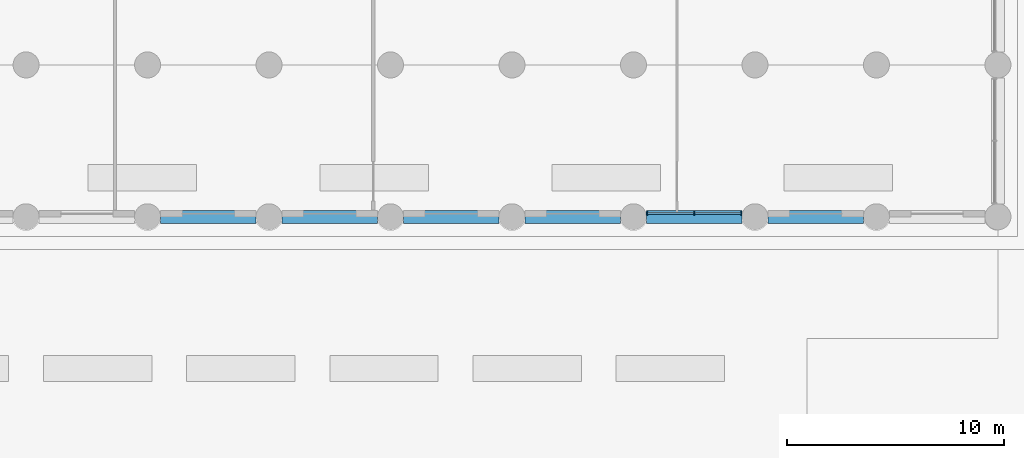
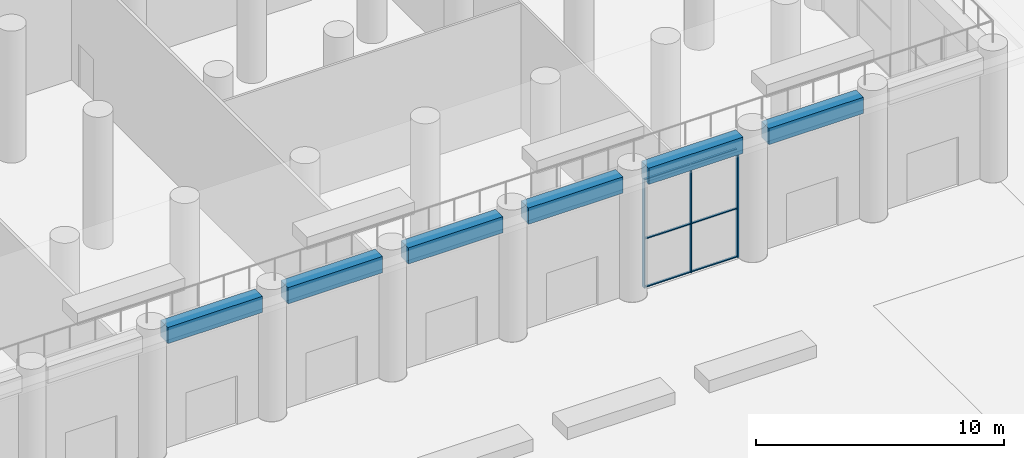
# One storey, part 6 of 51: 9 members, 6 beams, 1 element without a shape of its own.
"""IFC4 building model written with IfcOpenShell, lengths in metres."""

from ifc_helpers import new_model, si_unit, direction, frame, origin, origin_2d, place, context, subcontext, project, spatial, rectangle, extrude, material, layer, layer_set, material_profile, profile_set, type_object, element, aggregate, save


model = new_model("IFC4")

# Units and contexts
model_context = context("Model", 3, precision=1e-05, world=origin(), true_north=direction((0.0, 1.0)))
body_context = subcontext(model_context, "Body", "Model", "MODEL_VIEW")
ifc_project = project(units=[si_unit("LENGTHUNIT", "METRE"), si_unit("AREAUNIT", "SQUARE_METRE"), si_unit("VOLUMEUNIT", "CUBIC_METRE"), si_unit("PLANEANGLEUNIT", "RADIAN"), si_unit("MASSUNIT", "GRAM", prefix="KILO")], contexts=[model_context])

# Site, building, storey
site_placement = place(None, origin())
site = spatial("IfcSite", under=ifc_project, at=site_placement, CompositionType="ELEMENT")
building_placement = place(site_placement, origin())
building = spatial("IfcBuilding", under=site, at=building_placement, Name="Kiln Ring Residences", CompositionType="ELEMENT")
storey_placement = place(building_placement, origin())
storey = spatial("IfcBuildingStorey", under=building, at=storey_placement, Name="L00", CompositionType="ELEMENT", Elevation=0.0)

# Curtain wall, members
ifc_material_1 = material(Name="Aluminium and glass", Category="aluminium")
ifc_layer = layer(ifc_material_1, 0.179931640625)
ifc_layer_set = layer_set([ifc_layer], Name="CW2 CURTAIN WALL")
curtain_wall_type = type_object("IfcCurtainWallType", Name="CW2 CURTAIN WALL", PredefinedType="NOTDEFINED", material=ifc_layer_set)
curtain_wall_placement = place(storey_placement, origin())
curtain_wall = element("IfcCurtainWall", 1, at=curtain_wall_placement, inside=storey, type_object=curtain_wall_type, Name="Curtain wall CW2 L00", PredefinedType="NOTDEFINED")
ifc_material_2 = material(Name="Aluminium 6063-T6", Category="aluminium")
ifc_material_profile_1 = material_profile(ifc_material_2, rectangle(XDim=0.179931640625, YDim=0.050048828125, at=origin_2d()), Name="AL 180x50")
ifc_profile_set_1 = profile_set([ifc_material_profile_1], Name="Aluminium 6063-T6")
member_type_1 = type_object("IfcMemberType", Name="CW2 MULLION 180 x 50", PredefinedType="MULLION", material=ifc_profile_set_1)
member_1_placement = place(storey_placement, frame((28.625, -64.25, 0.0), z_axis=(0.0, 0.0, 1.0), x_axis=(0.0, 1.0, 0.0)))
member_1 = element("IfcMember", 2, at=member_1_placement, type_object=member_type_1, Name="CW2 mullion 1", PredefinedType="MULLION", context=body_context, shape_type="SweptSolid", body=[
    extrude(rectangle(XDim=0.179931640625, YDim=0.050048828125, at=origin_2d()), origin(), (0.0, 0.0, 1.0), 5.35009765625),
])
member_2_placement = place(storey_placement, frame((30.800048828125, -64.25, 0.0), z_axis=(0.0, 0.0, 1.0), x_axis=(0.0, 1.0, 0.0)))
member_2 = element("IfcMember", 3, at=member_2_placement, type_object=member_type_1, Name="CW2 mullion 2", PredefinedType="MULLION", context=body_context, shape_type="SweptSolid", body=[
    extrude(rectangle(XDim=0.179931640625, YDim=0.050048828125, at=origin_2d()), origin(), (0.0, 0.0, 1.0), 5.35009765625),
])
member_3_placement = place(storey_placement, frame((32.97509765625, -64.25, 0.0), z_axis=(0.0, 0.0, 1.0), x_axis=(0.0, 1.0, 0.0)))
member_3 = element("IfcMember", 4, at=member_3_placement, type_object=member_type_1, Name="CW2 mullion 3", PredefinedType="MULLION", context=body_context, shape_type="SweptSolid", body=[
    extrude(rectangle(XDim=0.179931640625, YDim=0.050048828125, at=origin_2d()), origin(), (0.0, 0.0, 1.0), 5.35009765625),
])
ifc_material_3 = material(Name="Aluminium 6063-T6", Category="aluminium")
ifc_material_profile_2 = material_profile(ifc_material_3, rectangle(XDim=0.10009765625, YDim=0.050048828125, at=origin_2d()), Name="AL 100x50")
ifc_profile_set_2 = profile_set([ifc_material_profile_2], Name="Aluminium 6063-T6")
member_type_2 = type_object("IfcMemberType", Name="CW2 TRANSOM 100 x 50", PredefinedType="USERDEFINED", material=ifc_profile_set_2)
member_4_placement = place(storey_placement, frame((28.64990234375, -64.25, 0.02490234375), z_axis=(1.0, 0.0, 0.0), x_axis=(0.0, 1.0, 0.0)))
member_4 = element("IfcMember", 5, at=member_4_placement, type_object=member_type_2, Name="CW2 transom 1.1", ObjectType="TRANSOM", PredefinedType="USERDEFINED", context=body_context, shape_type="SweptSolid", body=[
    extrude(rectangle(XDim=0.10009765625, YDim=0.050048828125, at=origin_2d()), origin(), (0.0, 0.0, 1.0), 2.125),
])
member_5_placement = place(storey_placement, frame((28.64990234375, -64.25, 2.39990234375), z_axis=(1.0, 0.0, 0.0), x_axis=(0.0, 1.0, 0.0)))
member_5 = element("IfcMember", 6, at=member_5_placement, type_object=member_type_2, Name="CW2 transom 1.2", ObjectType="TRANSOM", PredefinedType="USERDEFINED", context=body_context, shape_type="SweptSolid", body=[
    extrude(rectangle(XDim=0.10009765625, YDim=0.050048828125, at=origin_2d()), origin(), (0.0, 0.0, 1.0), 2.125),
])
member_6_placement = place(storey_placement, frame((28.64990234375, -64.25, 5.324951171875), z_axis=(1.0, 0.0, 0.0), x_axis=(0.0, 1.0, 0.0)))
member_6 = element("IfcMember", 7, at=member_6_placement, type_object=member_type_2, Name="CW2 transom 1.3", ObjectType="TRANSOM", PredefinedType="USERDEFINED", context=body_context, shape_type="SweptSolid", body=[
    extrude(rectangle(XDim=0.10009765625, YDim=0.050048828125, at=origin_2d()), origin(), (0.0, 0.0, 1.0), 2.125),
])
member_7_placement = place(storey_placement, frame((30.824951171875, -64.25, 0.02490234375), z_axis=(1.0, 0.0, 0.0), x_axis=(0.0, 1.0, 0.0)))
member_7 = element("IfcMember", 8, at=member_7_placement, type_object=member_type_2, Name="CW2 transom 2.1", ObjectType="TRANSOM", PredefinedType="USERDEFINED", context=body_context, shape_type="SweptSolid", body=[
    extrude(rectangle(XDim=0.10009765625, YDim=0.050048828125, at=origin_2d()), origin(), (0.0, 0.0, 1.0), 2.125),
])
member_8_placement = place(storey_placement, frame((30.824951171875, -64.25, 2.39990234375), z_axis=(1.0, 0.0, 0.0), x_axis=(0.0, 1.0, 0.0)))
member_8 = element("IfcMember", 9, at=member_8_placement, type_object=member_type_2, Name="CW2 transom 2.2", ObjectType="TRANSOM", PredefinedType="USERDEFINED", context=body_context, shape_type="SweptSolid", body=[
    extrude(rectangle(XDim=0.10009765625, YDim=0.050048828125, at=origin_2d()), origin(), (0.0, 0.0, 1.0), 2.125),
])
member_9_placement = place(storey_placement, frame((30.824951171875, -64.25, 5.324951171875), z_axis=(1.0, 0.0, 0.0), x_axis=(0.0, 1.0, 0.0)))
member_9 = element("IfcMember", 10, at=member_9_placement, type_object=member_type_2, Name="CW2 transom 2.3", ObjectType="TRANSOM", PredefinedType="USERDEFINED", context=body_context, shape_type="SweptSolid", body=[
    extrude(rectangle(XDim=0.10009765625, YDim=0.050048828125, at=origin_2d()), origin(), (0.0, 0.0, 1.0), 2.125),
])
aggregate(curtain_wall, [member_1, member_2, member_3, member_4, member_5, member_6, member_7, member_8, member_9])

# Beams
ifc_material_4 = material(Name="Concrete C50/60", Category="concrete")
ifc_material_profile_3 = material_profile(ifc_material_4, rectangle(XDim=0.60009765625, YDim=0.800048828125, at=origin_2d()), Name="RC600x800")
ifc_profile_set_3 = profile_set([ifc_material_profile_3], Name="Concrete C50/60")
beam_type = type_object("IfcBeamType", Name="Ring beam RC600x800 C50/60", PredefinedType="BEAM", material=ifc_profile_set_3)
beam_1_placement = place(storey_placement, frame((6.199951171875, -64.39990234375, 5.75), z_axis=(1.0, 0.0, 0.0), x_axis=(0.0, 1.0, 0.0)))
element("IfcBeam", 11, at=beam_1_placement, inside=storey, type_object=beam_type, Name="Ring beam L00 10", PredefinedType="BEAM", context=body_context, shape_type="SweptSolid", body=[
    extrude(rectangle(XDim=0.60009765625, YDim=0.800048828125, at=origin_2d()), origin(), (0.0, 0.0, 1.0), 4.400146484375),
])
beam_2_placement = place(storey_placement, frame((11.800048828125, -64.39990234375, 5.75), z_axis=(1.0, 0.0, 0.0), x_axis=(0.0, 1.0, 0.0)))
element("IfcBeam", 12, at=beam_2_placement, inside=storey, type_object=beam_type, Name="Ring beam L00 11", PredefinedType="BEAM", context=body_context, shape_type="SweptSolid", body=[
    extrude(rectangle(XDim=0.60009765625, YDim=0.800048828125, at=origin_2d()), origin(), (0.0, 0.0, 1.0), 4.39990234375),
])
beam_3_placement = place(storey_placement, frame((17.39990234375, -64.39990234375, 5.75), z_axis=(1.0, 0.0, 0.0), x_axis=(0.0, 1.0, 0.0)))
element("IfcBeam", 13, at=beam_3_placement, inside=storey, type_object=beam_type, Name="Ring beam L00 12", PredefinedType="BEAM", context=body_context, shape_type="SweptSolid", body=[
    extrude(rectangle(XDim=0.60009765625, YDim=0.800048828125, at=origin_2d()), origin(), (0.0, 0.0, 1.0), 4.400146484375),
])
for number, where, z_axis, x_axis, name in (
    (14, (23.0, -64.39990234375, 5.75), (1.0, 0.0, 0.0), (0.0, 1.0, 0.0), "Ring beam L00 13"),
    (15, (28.60009765625, -64.39990234375, 5.75), (1.0, 0.0, 0.0), (0.0, 1.0, 0.0), "Ring beam L00 14"),
):
    element("IfcBeam", number, at=place(storey_placement, frame(where, z_axis=z_axis, x_axis=x_axis)), inside=storey, type_object=beam_type, Name=name, PredefinedType="BEAM", context=body_context, shape_type="SweptSolid", body=[
        extrude(rectangle(XDim=0.60009765625, YDim=0.800048828125, at=origin_2d()), origin(), (0.0, 0.0, 1.0), 4.39990234375),
    ])
beam_4_placement = place(storey_placement, frame((34.199951171875, -64.39990234375, 5.75), z_axis=(1.0, 0.0, 0.0), x_axis=(0.0, 1.0, 0.0)))
element("IfcBeam", 16, at=beam_4_placement, inside=storey, type_object=beam_type, Name="Ring beam L00 15", PredefinedType="BEAM", context=body_context, shape_type="SweptSolid", body=[
    extrude(rectangle(XDim=0.60009765625, YDim=0.800048828125, at=origin_2d()), origin(), (0.0, 0.0, 1.0), 4.400146484375),
])

save(model, "model.ifc")
